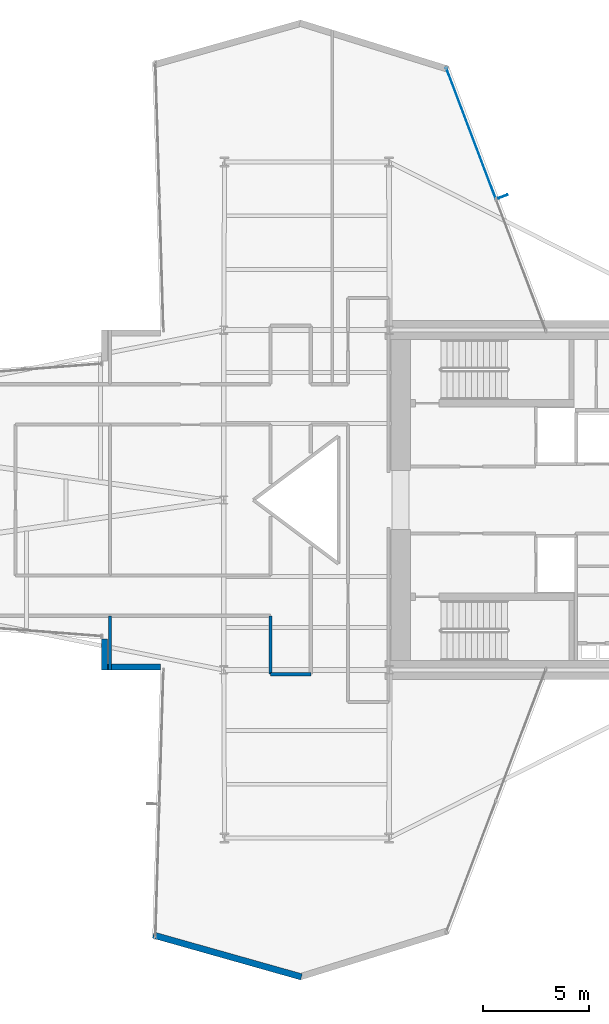
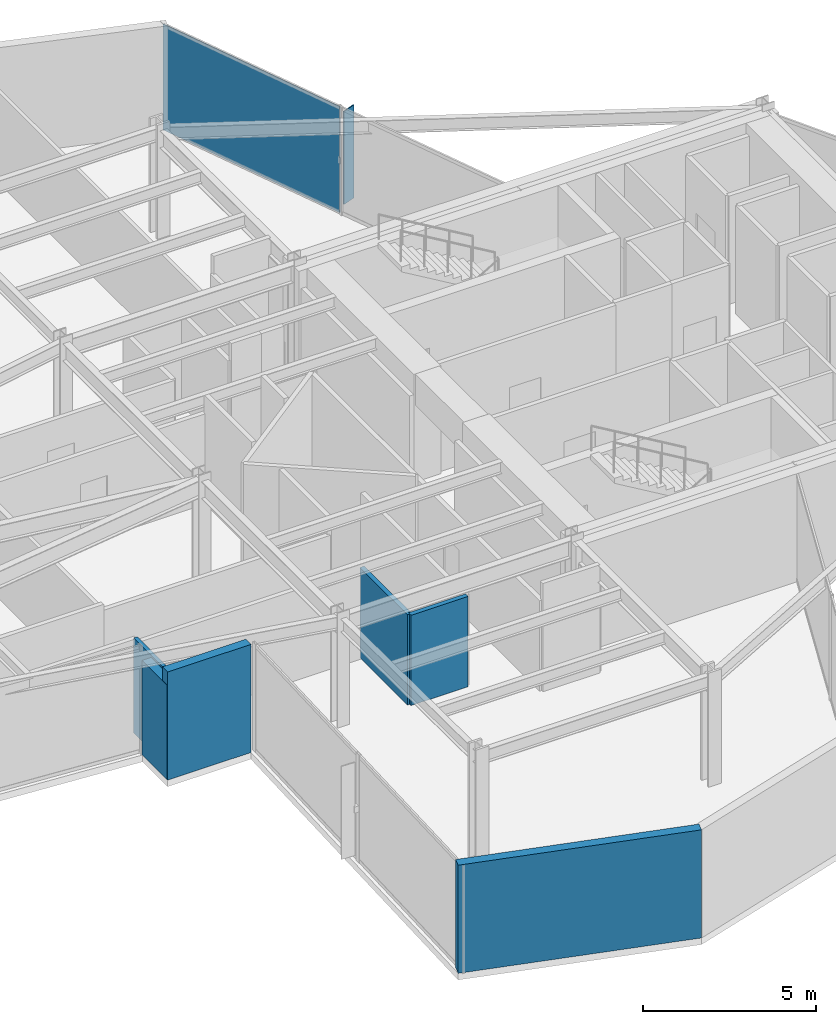
# One storey, part 25 of 29: 6 walls, 2 plates, 1 element without a shape of its own.
"""IFC4 building model written with IfcOpenShell, lengths in metres."""

from ifc_helpers import new_model, si_unit, direction, frame, frame_2d, origin, origin_2d, place, context, subcontext, project, spatial, rectangle, extrude, material, layer, layer_set, type_object, element, aggregate, save


model = new_model("IFC4")

# Units and contexts
model_context = context("Model", 3, precision=1e-05, world=origin(), true_north=direction((0.0, 1.0)))
body_context = subcontext(model_context, "Body", "Model", "MODEL_VIEW")
ifc_project = project(units=[si_unit("LENGTHUNIT", "METRE"), si_unit("AREAUNIT", "SQUARE_METRE"), si_unit("VOLUMEUNIT", "CUBIC_METRE"), si_unit("PLANEANGLEUNIT", "RADIAN"), si_unit("MASSUNIT", "GRAM", prefix="KILO")], contexts=[model_context])

# Site, building, storey
site_placement = place(None, origin())
site = spatial("IfcSite", under=ifc_project, at=site_placement, CompositionType="ELEMENT")
building_placement = place(site_placement, origin())
building = spatial("IfcBuilding", under=site, at=building_placement, Name="Veymaron Broadcast Tower", CompositionType="ELEMENT")
storey_placement = place(building_placement, frame((0.0, 0.0, 41.85009765625)))
storey = spatial("IfcBuildingStorey", under=building, at=storey_placement, Name="L08", CompositionType="ELEMENT", Elevation=41.85009765625)

# Curtain wall, plate
ifc_material_1 = material(Name="Anodised aluminium AA 6063-T6 and laminated low-E dark glass", Category="aluminium")
ifc_layer_1 = layer(ifc_material_1, 0.179931640625)
ifc_layer_set_1 = layer_set([ifc_layer_1], Name="Anodised aluminium AA 6063-T6 and laminated low-E dark glass")
curtain_wall_type = type_object("IfcCurtainWallType", Name="CW-SYS-02", PredefinedType="NOTDEFINED", material=ifc_layer_set_1)
curtain_wall_placement = place(storey_placement, origin())
curtain_wall = element("IfcCurtainWall", 1, at=curtain_wall_placement, inside=storey, type_object=curtain_wall_type, Name="L08 dark-glass curtain wall CW-L08-E5-1", PredefinedType="NOTDEFINED")
ifc_material_2 = material(Name="Double-silver solar-control dark glass IGU 32 mm", Category="glass")
ifc_layer_2 = layer(ifc_material_2, 0.031982421875)
ifc_layer_set_2 = layer_set([ifc_layer_2], Name="Double-silver solar-control dark glass IGU 32 mm")
plate_type_1 = type_object("IfcPlateType", Name="CW-PNL-02", PredefinedType="CURTAIN_PANEL", material=ifc_layer_set_2)
plate_1_placement = place(storey_placement, frame((42.83935546875, 41.260986328125, 0.039794921875), z_axis=(0.0, 0.0, 1.0), x_axis=(-0.354225752381, 0.935159941588, 0.0)))
plate_1 = element("IfcPlate", 2, at=plate_1_placement, type_object=plate_type_1, Name="CW-L08-E5-1 unitised curtain panel 1", PredefinedType="CURTAIN_PANEL", context=body_context, shape_type="SweptSolid", body=[
    extrude(rectangle(XDim=6.577392578125, YDim=0.031982421875, at=origin_2d()), origin(), (0.0, 0.0, 1.0), 3.72998046875),
])
aggregate(curtain_wall, [plate_1])

# Plate
ifc_material_3 = material(Name="Dark-anodised aluminium AA 6061-T6", Category="aluminium")
ifc_layer_3 = layer(ifc_material_3, 0.034912109375)
ifc_layer_set_3 = layer_set([ifc_layer_3], Name="Dark-anodised aluminium AA 6061-T6")
plate_type_2 = type_object("IfcPlateType", Name="FIN-CHEV-01", PredefinedType="USERDEFINED", material=ifc_layer_set_3)
plate_2_placement = place(storey_placement, frame((44.346923828125, 38.283203125, 0.2666015625), z_axis=(0.0, 0.0, 1.0), x_axis=(0.935159941588, 0.354225752381, 0.0)))
element("IfcPlate", 3, at=plate_2_placement, inside=storey, type_object=plate_type_2, Name="CW-L08-E5-1 chevron fin 1", ObjectType="FIN", PredefinedType="USERDEFINED", context=body_context, shape_type="SweptSolid", body=[
    extrude(rectangle(XDim=0.449951171875, YDim=0.034912109375, at=origin_2d()), origin(), (0.0, 0.0, 1.0), 3.276611328125),
])

# Walls
ifc_material_4 = material(Name="Precast concrete C40/50 with mineral-wool insulation", Category="concrete")
ifc_layer_4 = layer(ifc_material_4, 0.300048828125)
ifc_layer_set_4 = layer_set([ifc_layer_4], Name="Precast concrete C40/50 with mineral-wool insulation")
wall_type_1 = type_object("IfcWallType", Name="WALL-EXT-300", PredefinedType="STANDARD", material=ifc_layer_set_4)
wall_1_placement = place(storey_placement, frame((25.587890625, 17.4482421875, 0.0), z_axis=(0.0, 0.0, 1.0), x_axis=(0.0, -1.0, 0.0)))
element("IfcWall", 4, at=wall_1_placement, inside=storey, type_object=wall_type_1, Name="L08 notched corner facade pier 15-1", PredefinedType="STANDARD", context=body_context, shape_type="SweptSolid", body=[
    extrude(rectangle(XDim=1.4482421875, YDim=0.300048828125, at=frame_2d((0.72412109375, 0.0))), origin(), (0.0, 0.0, 1.0), 3.337890625),
])
wall_2_placement = place(storey_placement, frame((25.447998046875, 16.139892578125, 0.0), z_axis=(0.0, 0.0, 1.0), x_axis=(1.0, 0.0, 0.0)))
element("IfcWall", 5, at=wall_2_placement, inside=storey, type_object=wall_type_1, Name="L08 notched corner facade pier 16-1", PredefinedType="STANDARD", context=body_context, shape_type="SweptSolid", body=[
    extrude(rectangle(XDim=2.776123046875, YDim=0.300048828125, at=frame_2d((1.38818359375, 0.0))), origin(), (0.0, 0.0, 1.0), 3.809814453125),
])
wall_3_placement = place(storey_placement, frame((27.885498046875, 3.523681640625, 0.0), z_axis=(0.0, 0.0, 1.0), x_axis=(0.962339681863, -0.271849842212, 0.0)))
element("IfcWall", 6, at=wall_3_placement, inside=storey, type_object=wall_type_1, Name="L08 notched corner facade pier 18-1", PredefinedType="STANDARD", context=body_context, shape_type="SweptSolid", body=[
    extrude(rectangle(XDim=7.24658203125, YDim=0.300048828125, at=frame_2d((3.623291015625, 0.0))), origin(), (0.0, 0.0, 1.0), 3.809814453125),
])
ifc_material_5 = material(Name="Gypsum fireboard and steel stud framing", Category="steel")
ifc_layer_5 = layer(ifc_material_5, 0.14990234375)
ifc_layer_set_5 = layer_set([ifc_layer_5], Name="Gypsum fireboard and steel stud framing")
wall_type_2 = type_object("IfcWallType", Name="WALL-FIRE-150", PredefinedType="PARTITIONING", material=ifc_layer_set_5)
wall_4_placement = place(storey_placement, frame((33.39990234375, 15.800048828125, 0.0), z_axis=(0.0, 0.0, 1.0), x_axis=(0.0, 1.0, 0.0)))
element("IfcWall", 7, at=wall_4_placement, inside=storey, type_object=wall_type_2, Name="L08 partition IW-L08-P05", PredefinedType="PARTITIONING", context=body_context, shape_type="SweptSolid", body=[
    extrude(rectangle(XDim=2.75, YDim=0.14990234375, at=frame_2d((1.375, 0.0))), origin(), (0.0, 0.0, 1.0), 3.180908203125),
])
wall_5_placement = place(storey_placement, frame((33.39990234375, 15.800048828125, 0.0), z_axis=(0.0, 0.0, 1.0), x_axis=(1.0, 0.0, 0.0)))
element("IfcWall", 8, at=wall_5_placement, inside=storey, type_object=wall_type_2, Name="L08 partition IW-L08-P07", PredefinedType="PARTITIONING", context=body_context, shape_type="SweptSolid", body=[
    extrude(rectangle(XDim=1.900146484375, YDim=0.14990234375, at=frame_2d((0.9501953125, 0.0))), origin(), (0.0, 0.0, 1.0), 3.180908203125),
])
ifc_material_6 = material(Name="Acoustic gypsum board and galvanized stud", Category="gypsum")
ifc_layer_6 = layer(ifc_material_6, 0.1201171875)
ifc_layer_set_6 = layer_set([ifc_layer_6], Name="Acoustic gypsum board and galvanized stud")
wall_type_3 = type_object("IfcWallType", Name="WALL-PART-120", PredefinedType="PARTITIONING", material=ifc_layer_set_6)
wall_6_placement = place(storey_placement, frame((25.84912109375, 16.0, 0.0), z_axis=(0.0, 0.0, 1.0), x_axis=(0.0, 1.0, 0.0)))
element("IfcWall", 9, at=wall_6_placement, inside=storey, type_object=wall_type_3, Name="L08 partition IW-L08-P33", PredefinedType="PARTITIONING", context=body_context, shape_type="SweptSolid", body=[
    extrude(rectangle(XDim=2.550048828125, YDim=0.1201171875, at=frame_2d((1.27490234375, 0.0))), origin(), (0.0, 0.0, 1.0), 3.337890625),
])

save(model, "model.ifc")
